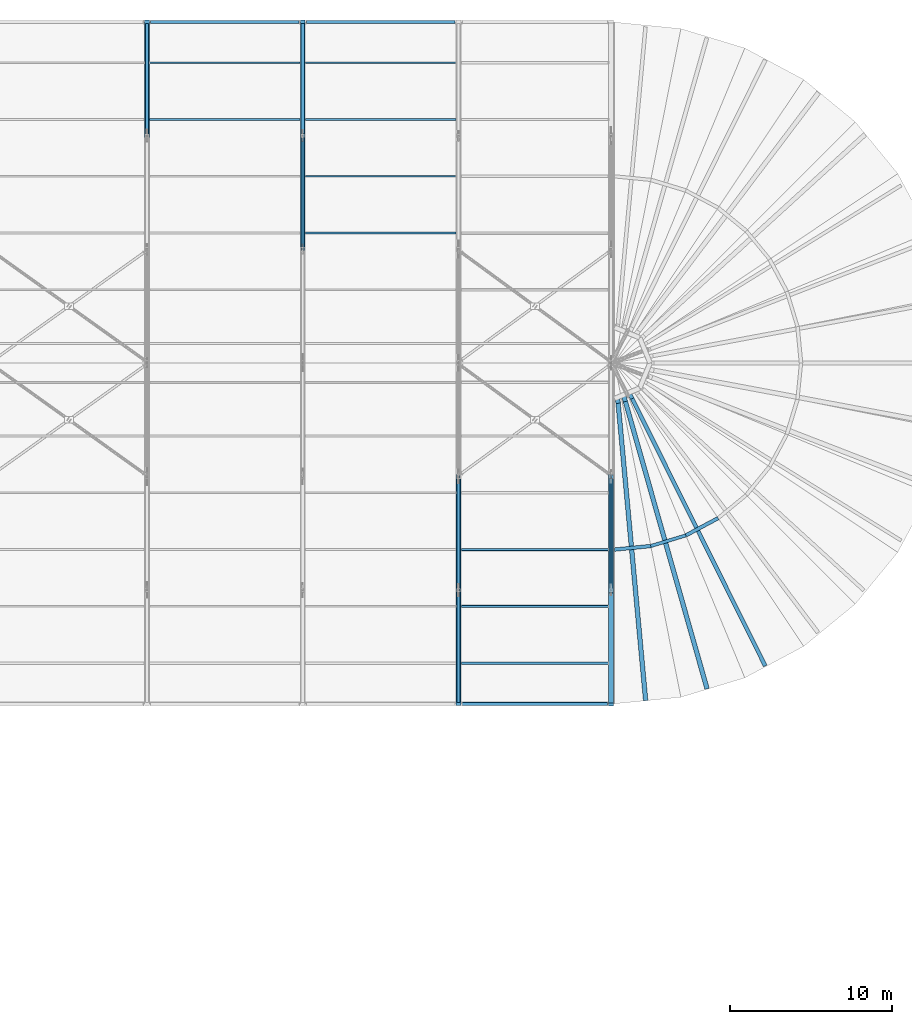
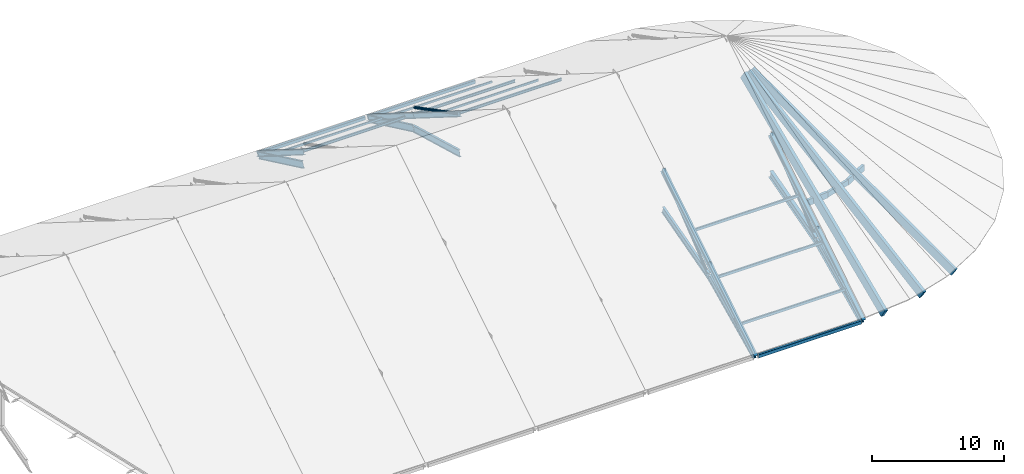
# One storey, part 15 of 66: 22 members, 13 beams.
"""IFC4 building model written with IfcOpenShell, lengths in metres."""

from ifc_helpers import new_model, si_unit, direction, frame, origin, origin_2d, place, context, subcontext, project, spatial, rectangle, hollow_rectangle, hollow_circle, i_section, extrude, material, material_profile, profile_set, type_object, element, save


model = new_model("IFC4")

# Units and contexts
model_context = context("Model", 3, precision=1e-05, world=origin(), true_north=direction((0.0, 1.0)))
body_context = subcontext(model_context, "Body", "Model", "MODEL_VIEW")
ifc_project = project(units=[si_unit("LENGTHUNIT", "METRE"), si_unit("AREAUNIT", "SQUARE_METRE"), si_unit("VOLUMEUNIT", "CUBIC_METRE"), si_unit("PLANEANGLEUNIT", "RADIAN"), si_unit("MASSUNIT", "GRAM", prefix="KILO")], contexts=[model_context])

# Site, building, storey
site_placement = place(None, origin())
site = spatial("IfcSite", under=ifc_project, at=site_placement, CompositionType="ELEMENT")
building_placement = place(site_placement, origin())
building = spatial("IfcBuilding", under=site, at=building_placement, Name="Yeouljin Market Hall", CompositionType="ELEMENT")
storey_placement = place(building_placement, frame((0.0, 0.0, 23.39990234375)))
storey = spatial("IfcBuildingStorey", under=building, at=storey_placement, Name="RF", CompositionType="ELEMENT", Elevation=23.39990234375)

# Beams
ifc_material_1 = material(Name="Glulam Timber KS F 3021 10S-30B", Category="wood")
ifc_material_profile_1 = material_profile(ifc_material_1, rectangle(XDim=0.199951171875, YDim=0.47998046875, at=origin_2d()), Name="GL-200x480")
ifc_profile_set_1 = profile_set([ifc_material_profile_1], Name="Glulam Timber KS F 3021 10S-30B")
beam_type_1 = type_object("IfcBeamType", Name="Beam_GL-200x480", PredefinedType="BEAM", material=ifc_profile_set_1)
beam_1_placement = place(storey_placement, frame((143.243408203125, 45.720947265625, -7.349853515625), z_axis=(0.9569305483, 0.290316940137, 0.0), x_axis=(-0.290316940137, 0.9569305483, 0.0)))
element("IfcBeam", 1, at=beam_1_placement, inside=storey, type_object=beam_type_1, Name="Glulam apse collar beam east 02", PredefinedType="BEAM", context=body_context, shape_type="SweptSolid", body=[
    extrude(rectangle(XDim=0.199951171875, YDim=0.47998046875, at=origin_2d()), origin(), (0.0, 0.0, 1.0), 2.254638671875),
])
ifc_material_2 = material(Name="Glulam Timber KS F 3021 10S-30B", Category="wood")
ifc_material_profile_2 = material_profile(ifc_material_2, rectangle(XDim=0.219970703125, YDim=0.56005859375, at=origin_2d()), Name="GL-220x560")
ifc_profile_set_2 = profile_set([ifc_material_profile_2], Name="Glulam Timber KS F 3021 10S-30B")
beam_type_2 = type_object("IfcBeamType", Name="Beam_GL-220x560", PredefinedType="BEAM", material=ifc_profile_set_2)
beam_2_placement = place(storey_placement, frame((141.0, 45.5, -7.349853515625), z_axis=(0.995185122883, 0.098013117446, 0.0), x_axis=(-0.098013117446, 0.995185122883, 0.0)))
element("IfcBeam", 2, at=beam_2_placement, inside=storey, type_object=beam_type_2, Name="Glulam apse collar beam east 01", PredefinedType="BEAM", context=body_context, shape_type="SweptSolid", body=[
    extrude(rectangle(XDim=0.219970703125, YDim=0.56005859375, at=origin_2d()), origin(), (0.0, 0.0, 1.0), 2.254150390625),
])
beam_3_placement = place(storey_placement, frame((145.40087890625, 46.37548828125, -7.349853515625), z_axis=(0.881968925016, 0.471307559144, 0.0), x_axis=(-0.471307559144, 0.881968925016, 0.0)))
element("IfcBeam", 3, at=beam_3_placement, inside=storey, type_object=beam_type_2, Name="Glulam apse collar beam east 03", PredefinedType="BEAM", context=body_context, shape_type="SweptSolid", body=[
    extrude(rectangle(XDim=0.219970703125, YDim=0.56005859375, at=origin_2d()), origin(), (0.0, 0.0, 1.0), 2.25439453125),
])
ifc_material_3 = material(Name="Steel SM355", Category="steel")
ifc_material_profile_3 = material_profile(ifc_material_3, i_section(OverallWidth=0.199951171875, OverallDepth=0.60009765625, WebThickness=0.010986328125, FlangeThickness=0.01708984375, FilletRadius=0.02197265625, at=origin_2d()), Name="H-600x200x11x17")
ifc_profile_set_3 = profile_set([ifc_material_profile_3], Name="Steel SM355")
beam_type_3 = type_object("IfcBeamType", Name="Beam_H-600x200x11x17", PredefinedType="BEAM", material=ifc_profile_set_3)
beam_4_placement = place(storey_placement, frame((112.199951171875, 71.02001953125, -9.07763671875), z_axis=(0.0, 0.903192091176, -0.429236585623), x_axis=(-1.0, 0.0, 0.0)))
element("IfcBeam", 4, at=beam_4_placement, inside=storey, type_object=beam_type_3, Name="Truss AT-09 arch rib 6", PredefinedType="BEAM", context=body_context, shape_type="SweptSolid", body=[
    extrude(i_section(OverallWidth=0.199951171875, OverallDepth=0.60009765625, WebThickness=0.010986328125, FlangeThickness=0.01708984375, FilletRadius=0.02197265625, at=origin_2d()), origin(), (0.0, 0.0, 1.0), 7.5068359375),
])
beam_5_placement = place(storey_placement, frame((121.800048828125, 64.02001953125, -7.144287109375), z_axis=(0.0, 0.963516941196, -0.267647350124), x_axis=(-1.0, 0.0, 0.0)))
element("IfcBeam", 5, at=beam_5_placement, inside=storey, type_object=beam_type_3, Name="Truss AT-10 arch rib 5", PredefinedType="BEAM", context=body_context, shape_type="SweptSolid", body=[
    extrude(i_section(OverallWidth=0.199951171875, OverallDepth=0.60009765625, WebThickness=0.010986328125, FlangeThickness=0.01708984375, FilletRadius=0.02197265625, at=origin_2d()), origin(), (0.0, 0.0, 1.0), 7.223388671875),
])
for number, where, z_axis, x_axis, name in (
    (6, (121.800048828125, 71.02001953125, -9.07763671875), (0.0, 0.903192091176, -0.429236585623), (-1.0, 0.0, 0.0), "Truss AT-10 arch rib 6"),
    (7, (131.39990234375, 36.199951171875, -12.2998046875), (0.0, 0.903192091176, 0.429236585623), (-1.0, 0.0, 0.0), "Truss AT-11 arch rib 1"),
):
    element("IfcBeam", number, at=place(storey_placement, frame(where, z_axis=z_axis, x_axis=x_axis)), inside=storey, type_object=beam_type_3, Name=name, PredefinedType="BEAM", context=body_context, shape_type="SweptSolid", body=[
        extrude(i_section(OverallWidth=0.199951171875, OverallDepth=0.60009765625, WebThickness=0.010986328125, FlangeThickness=0.01708984375, FilletRadius=0.02197265625, at=origin_2d()), origin(), (0.0, 0.0, 1.0), 7.5068359375),
    ])
beam_6_placement = place(storey_placement, frame((131.39990234375, 43.02001953125, -9.07763671875), z_axis=(0.0, 0.963516941196, 0.267647350124), x_axis=(-1.0, 0.0, 0.0)))
element("IfcBeam", 8, at=beam_6_placement, inside=storey, type_object=beam_type_3, Name="Truss AT-11 arch rib 2", PredefinedType="BEAM", context=body_context, shape_type="SweptSolid", body=[
    extrude(i_section(OverallWidth=0.199951171875, OverallDepth=0.60009765625, WebThickness=0.010986328125, FlangeThickness=0.01708984375, FilletRadius=0.02197265625, at=origin_2d()), origin(), (0.0, 0.0, 1.0), 7.223388671875),
])
ifc_material_4 = material(Name="Steel SM355", Category="steel")
ifc_material_profile_4 = material_profile(ifc_material_4, hollow_rectangle(XDim=0.199951171875, YDim=0.300048828125, WallThickness=0.009033203125, InnerFilletRadius=0.009033203125, OuterFilletRadius=0.01611328125, at=origin_2d()), Name="RHS-300x200x9")
ifc_profile_set_4 = profile_set([ifc_material_profile_4], Name="Steel SM355")
beam_type_4 = type_object("IfcBeamType", Name="Beam_RHS-300x200x9", PredefinedType="BEAM", material=ifc_profile_set_4)
beam_7_placement = place(storey_placement, frame((131.615966796875, 36.0, -12.27978515625), z_axis=(1.0, 0.0, 0.0), x_axis=(0.0, 1.0, 0.0)))
element("IfcBeam", 9, at=beam_7_placement, inside=storey, type_object=beam_type_4, Name="Hall eaves girder S11", PredefinedType="BEAM", context=body_context, shape_type="SweptSolid", body=[
    extrude(hollow_rectangle(XDim=0.199951171875, YDim=0.300048828125, WallThickness=0.009033203125, InnerFilletRadius=0.009033203125, OuterFilletRadius=0.01611328125, at=origin_2d()), origin(), (0.0, 0.0, 1.0), 8.968017578125),
])
for number, where, z_axis, x_axis, name in (
    (10, (112.416015625, 78.0, -12.27978515625), (1.0, 0.0, 0.0), (0.0, 1.0, 0.0), "Hall eaves girder N09"),
    (11, (122.01611328125, 78.0, -12.27978515625), (1.0, 0.0, 0.0), (0.0, 1.0, 0.0), "Hall eaves girder N10"),
):
    element("IfcBeam", number, at=place(storey_placement, frame(where, z_axis=z_axis, x_axis=x_axis)), inside=storey, type_object=beam_type_4, Name=name, PredefinedType="BEAM", context=body_context, shape_type="SweptSolid", body=[
        extrude(hollow_rectangle(XDim=0.199951171875, YDim=0.300048828125, WallThickness=0.009033203125, InnerFilletRadius=0.009033203125, OuterFilletRadius=0.01611328125, at=origin_2d()), origin(), (0.0, 0.0, 1.0), 9.16796875),
    ])

# Members
ifc_material_5 = material(Name="Steel SM355", Category="steel")
ifc_material_profile_5 = material_profile(ifc_material_5, hollow_circle(Radius=0.108154296875, WallThickness=0.008056640625, at=origin_2d()), Name="CHS-216.3x8")
ifc_profile_set_5 = profile_set([ifc_material_profile_5], Name="Steel SM355")
member_type_1 = type_object("IfcMemberType", Name="Brace_CHS-216.3x8", PredefinedType="BRACE", material=ifc_profile_set_5)
member_1_placement = place(storey_placement, frame((121.800048828125, 64.195068359375, -3.6015625), z_axis=(0.0, 0.886995164265, -0.461778711691), x_axis=(-1.0, 0.0, 0.0)))
element("IfcMember", 12, at=member_1_placement, inside=storey, type_object=member_type_1, Name="Truss AT-10 web diagonal 5", PredefinedType="BRACE", context=body_context, shape_type="SweptSolid", body=[
    extrude(hollow_circle(Radius=0.108154296875, WallThickness=0.008056640625, at=origin_2d()), origin(), (0.0, 0.0, 1.0), 7.451904296875),
])
for number, where, z_axis, x_axis, name in (
    (13, (131.39990234375, 43.172119140625, -8.940673828125), (0.0, 0.782065231413, 0.623196577185), (-1.0, 0.0, 0.0), "Truss AT-11 web diagonal 2"),
    (14, (140.800048828125, 43.172119140625, -8.940673828125), (0.0, 0.782065231413, 0.623196577185), (-1.0, 0.0, 0.0), "Truss AT-12 web diagonal 2"),
):
    element("IfcMember", number, at=place(storey_placement, frame(where, z_axis=z_axis, x_axis=x_axis)), inside=storey, type_object=member_type_1, Name=name, PredefinedType="BRACE", context=body_context, shape_type="SweptSolid", body=[
        extrude(hollow_circle(Radius=0.108154296875, WallThickness=0.008056640625, at=origin_2d()), origin(), (0.0, 0.0, 1.0), 8.510498046875),
    ])
ifc_material_6 = material(Name="Steel SM355", Category="steel")
ifc_material_profile_6 = material_profile(ifc_material_6, i_section(OverallWidth=0.300048828125, OverallDepth=0.43994140625, WebThickness=0.010986328125, FlangeThickness=0.01806640625, FilletRadius=0.02001953125, at=origin_2d()), Name="H-440x300x11x18")
ifc_profile_set_6 = profile_set([ifc_material_profile_6], Name="Steel SM355")
member_type_2 = type_object("IfcMemberType", Name="Chord_H-440x300x11x18", PredefinedType="CHORD", material=ifc_profile_set_6)
for number, where, z_axis, x_axis, name in (
    (15, (112.199951171875, 71.0, -7.89990234375), (0.0, 0.846641870869, -0.53216307885), (-1.0, 0.0, 0.0), "Truss AT-09 top chord 6"),
    (16, (121.800048828125, 64.0, -3.5), (0.0, 0.846641870869, -0.53216307885), (-1.0, 0.0, 0.0), "Truss AT-10 top chord 5"),
    (17, (121.800048828125, 71.0, -7.89990234375), (0.0, 0.846641870869, -0.53216307885), (-1.0, 0.0, 0.0), "Truss AT-10 top chord 6"),
    (18, (131.39990234375, 36.0, -12.2998046875), (0.0, 0.846641870869, 0.53216307885), (-1.0, 0.0, 0.0), "Truss AT-11 top chord 1"),
    (19, (131.39990234375, 43.0, -7.89990234375), (0.0, 0.846641870869, 0.53216307885), (-1.0, 0.0, 0.0), "Truss AT-11 top chord 2"),
):
    element("IfcMember", number, at=place(storey_placement, frame(where, z_axis=z_axis, x_axis=x_axis)), inside=storey, type_object=member_type_2, Name=name, PredefinedType="CHORD", context=body_context, shape_type="SweptSolid", body=[
        extrude(i_section(OverallWidth=0.300048828125, OverallDepth=0.43994140625, WebThickness=0.010986328125, FlangeThickness=0.01806640625, FilletRadius=0.02001953125, at=origin_2d()), origin(), (0.0, 0.0, 1.0), 8.26806640625),
    ])
ifc_material_7 = material(Name="Steel SM355", Category="steel")
ifc_material_profile_7 = material_profile(ifc_material_7, i_section(OverallWidth=0.300048828125, OverallDepth=0.488037109375, WebThickness=0.010986328125, FlangeThickness=0.01806640625, FilletRadius=0.02197265625, at=origin_2d()), Name="H-488x300x11x18")
ifc_profile_set_7 = profile_set([ifc_material_profile_7], Name="Steel SM355")
member_type_3 = type_object("IfcMemberType", Name="Chord_H-488x300x11x18", PredefinedType="CHORD", material=ifc_profile_set_7)
for number, where, z_axis, x_axis, name in (
    (20, (140.800048828125, 36.0, -12.2998046875), (0.0, 0.846641870869, 0.53216307885), (-1.0, 0.0, 0.0), "Truss AT-12 top chord 1"),
    (21, (140.800048828125, 43.0, -7.89990234375), (0.0, 0.846641870869, 0.53216307885), (-1.0, 0.0, 0.0), "Truss AT-12 top chord 2"),
):
    element("IfcMember", number, at=place(storey_placement, frame(where, z_axis=z_axis, x_axis=x_axis)), inside=storey, type_object=member_type_3, Name=name, PredefinedType="CHORD", context=body_context, shape_type="SweptSolid", body=[
        extrude(i_section(OverallWidth=0.300048828125, OverallDepth=0.488037109375, WebThickness=0.010986328125, FlangeThickness=0.01806640625, FilletRadius=0.02197265625, at=origin_2d()), origin(), (0.0, 0.0, 1.0), 8.26806640625),
    ])

# Beams
ifc_material_8 = material(Name="Steel SM355", Category="steel")
ifc_material_profile_8 = material_profile(ifc_material_8, i_section(OverallWidth=0.300048828125, OverallDepth=0.699951171875, WebThickness=0.012939453125, FlangeThickness=0.02392578125, FilletRadius=0.02587890625, at=origin_2d()), Name="H-700x300x13x24")
ifc_profile_set_8 = profile_set([ifc_material_profile_8], Name="Steel SM355")
beam_type_5 = type_object("IfcBeamType", Name="Girder_H-700x300x13x24", PredefinedType="USERDEFINED", material=ifc_profile_set_8)
beam_8_placement = place(storey_placement, frame((140.800048828125, 36.199951171875, -12.2998046875), z_axis=(0.0, 0.903192091176, 0.429236585623), x_axis=(-1.0, 0.0, 0.0)))
element("IfcBeam", 22, at=beam_8_placement, inside=storey, type_object=beam_type_5, Name="Truss AT-12 arch rib 1", ObjectType="GIRDER", PredefinedType="USERDEFINED", context=body_context, shape_type="SweptSolid", body=[
    extrude(i_section(OverallWidth=0.300048828125, OverallDepth=0.699951171875, WebThickness=0.012939453125, FlangeThickness=0.02392578125, FilletRadius=0.02587890625, at=origin_2d()), origin(), (0.0, 0.0, 1.0), 7.5068359375),
])
beam_9_placement = place(storey_placement, frame((140.800048828125, 43.02001953125, -9.07763671875), z_axis=(0.0, 0.963516941196, 0.267647350124), x_axis=(-1.0, 0.0, 0.0)))
element("IfcBeam", 23, at=beam_9_placement, inside=storey, type_object=beam_type_5, Name="Truss AT-12 arch rib 2", ObjectType="GIRDER", PredefinedType="USERDEFINED", context=body_context, shape_type="SweptSolid", body=[
    extrude(i_section(OverallWidth=0.300048828125, OverallDepth=0.699951171875, WebThickness=0.012939453125, FlangeThickness=0.02392578125, FilletRadius=0.02587890625, at=origin_2d()), origin(), (0.0, 0.0, 1.0), 7.223388671875),
])

# Members
ifc_material_9 = material(Name="Steel SM355", Category="steel")
ifc_material_profile_9 = material_profile(ifc_material_9, i_section(OverallWidth=0.125, OverallDepth=0.25, WebThickness=0.006103515625, FlangeThickness=0.009033203125, FilletRadius=0.011962890625, at=origin_2d()), Name="H-250x125x6x9")
ifc_profile_set_9 = profile_set([ifc_material_profile_9], Name="Steel SM355")
member_type_4 = type_object("IfcMemberType", Name="Purlin_H-250x125x6x9", PredefinedType="PURLIN", material=ifc_profile_set_9)
member_2_placement = place(storey_placement, frame((112.365966796875, 72.0, -8.6083984375), z_axis=(1.0, 0.0, 0.0), x_axis=(0.0, 1.0, 0.0)))
element("IfcMember", 24, at=member_2_placement, inside=storey, type_object=member_type_4, Name="Nave roof purlin 107", PredefinedType="PURLIN", context=body_context, shape_type="SweptSolid", body=[
    extrude(i_section(OverallWidth=0.125, OverallDepth=0.25, WebThickness=0.006103515625, FlangeThickness=0.009033203125, FilletRadius=0.011962890625, at=origin_2d()), origin(), (0.0, 0.0, 1.0), 9.26806640625),
])
for number, where, z_axis, x_axis, name in (
    (25, (121.966064453125, 65.0, -4.20849609375), (1.0, 0.0, 0.0), (0.0, 1.0, 0.0), "Nave roof purlin 117"),
    (26, (121.966064453125, 72.0, -8.6083984375), (1.0, 0.0, 0.0), (0.0, 1.0, 0.0), "Nave roof purlin 119"),
):
    element("IfcMember", number, at=place(storey_placement, frame(where, z_axis=z_axis, x_axis=x_axis)), inside=storey, type_object=member_type_4, Name=name, PredefinedType="PURLIN", context=body_context, shape_type="SweptSolid", body=[
        extrude(i_section(OverallWidth=0.125, OverallDepth=0.25, WebThickness=0.006103515625, FlangeThickness=0.009033203125, FilletRadius=0.011962890625, at=origin_2d()), origin(), (0.0, 0.0, 1.0), 9.267822265625),
    ])
ifc_material_10 = material(Name="Steel SS275", Category="steel")
ifc_material_profile_10 = material_profile(ifc_material_10, hollow_rectangle(XDim=0.10009765625, YDim=0.199951171875, WallThickness=0.006103515625, InnerFilletRadius=0.006103515625, OuterFilletRadius=0.011962890625, at=origin_2d()), Name="RHS-200x100x6")
ifc_profile_set_10 = profile_set([ifc_material_profile_10], Name="Steel SS275")
member_type_5 = type_object("IfcMemberType", Name="Purlin_RHS-200x100x6", PredefinedType="PURLIN", material=ifc_profile_set_10)
member_3_placement = place(storey_placement, frame((112.365966796875, 75.5, -10.80859375), z_axis=(1.0, 0.0, 0.0), x_axis=(0.0, 1.0, 0.0)))
element("IfcMember", 27, at=member_3_placement, inside=storey, type_object=member_type_5, Name="Nave roof purlin 108", PredefinedType="PURLIN", context=body_context, shape_type="SweptSolid", body=[
    extrude(hollow_rectangle(XDim=0.10009765625, YDim=0.199951171875, WallThickness=0.006103515625, InnerFilletRadius=0.006103515625, OuterFilletRadius=0.011962890625, at=origin_2d()), origin(), (0.0, 0.0, 1.0), 9.26806640625),
])
for number, where, z_axis, x_axis, name in (
    (28, (121.966064453125, 68.5, -6.408447265625), (1.0, 0.0, 0.0), (0.0, 1.0, 0.0), "Nave roof purlin 118"),
    (29, (121.966064453125, 75.5, -10.80859375), (1.0, 0.0, 0.0), (0.0, 1.0, 0.0), "Nave roof purlin 120"),
):
    element("IfcMember", number, at=place(storey_placement, frame(where, z_axis=z_axis, x_axis=x_axis)), inside=storey, type_object=member_type_5, Name=name, PredefinedType="PURLIN", context=body_context, shape_type="SweptSolid", body=[
        extrude(hollow_rectangle(XDim=0.10009765625, YDim=0.199951171875, WallThickness=0.006103515625, InnerFilletRadius=0.006103515625, OuterFilletRadius=0.011962890625, at=origin_2d()), origin(), (0.0, 0.0, 1.0), 9.267822265625),
    ])
ifc_material_11 = material(Name="Steel SM355", Category="steel")
ifc_material_profile_11 = material_profile(ifc_material_11, hollow_rectangle(XDim=0.14990234375, YDim=0.25, WallThickness=0.008056640625, InnerFilletRadius=0.008056640625, OuterFilletRadius=0.01611328125, at=origin_2d()), Name="RHS-250x150x8")
ifc_profile_set_11 = profile_set([ifc_material_profile_11], Name="Steel SM355")
member_type_6 = type_object("IfcMemberType", Name="Purlin_RHS-250x150x8", PredefinedType="PURLIN", material=ifc_profile_set_11)
for number, where, z_axis, x_axis, name in (
    (30, (131.56591796875, 38.5, -10.80859375), (1.0, 0.0, 0.0), (0.0, 1.0, 0.0), "Nave roof purlin 121"),
    (31, (131.56591796875, 42.0, -8.6083984375), (1.0, 0.0, 0.0), (0.0, 1.0, 0.0), "Nave roof purlin 122"),
    (32, (131.56591796875, 45.5, -6.408447265625), (1.0, 0.0, 0.0), (0.0, 1.0, 0.0), "Nave roof purlin 123"),
):
    element("IfcMember", number, at=place(storey_placement, frame(where, z_axis=z_axis, x_axis=x_axis)), inside=storey, type_object=member_type_6, Name=name, PredefinedType="PURLIN", context=body_context, shape_type="SweptSolid", body=[
        extrude(hollow_rectangle(XDim=0.14990234375, YDim=0.25, WallThickness=0.008056640625, InnerFilletRadius=0.008056640625, OuterFilletRadius=0.01611328125, at=origin_2d()), origin(), (0.0, 0.0, 1.0), 9.068115234375),
    ])
ifc_material_12 = material(Name="Glulam Timber KS F 3021 10S-30B", Category="wood")
ifc_material_profile_12 = material_profile(ifc_material_12, rectangle(XDim=0.239990234375, YDim=0.760009765625, at=origin_2d()), Name="GL-240x760")
ifc_profile_set_12 = profile_set([ifc_material_profile_12], Name="Glulam Timber KS F 3021 10S-30B")
member_type_7 = type_object("IfcMemberType", Name="Rafter_GL-240x760", PredefinedType="RAFTER", material=ifc_profile_set_12)
member_4_placement = place(storey_placement, frame((150.20458984375, 38.514892578125, -12.579833984375), z_axis=(-0.377804205833, 0.758723603814, 0.530662298519), x_axis=(-0.89516105907, -0.445742838781, 0.0)))
element("IfcMember", 33, at=member_4_placement, inside=storey, type_object=member_type_7, Name="Fanned glulam apse rafter east 03", PredefinedType="RAFTER", context=body_context, shape_type="SweptSolid", body=[
    extrude(rectangle(XDim=0.239990234375, YDim=0.760009765625, at=origin_2d()), origin(), (0.0, 0.0, 1.0), 21.708740234375),
])
ifc_material_13 = material(Name="Glulam Timber KS F 3021 10S-30B", Category="wood")
ifc_material_profile_13 = material_profile(ifc_material_13, rectangle(XDim=0.280029296875, YDim=0.840087890625, at=origin_2d()), Name="GL-280x840")
ifc_profile_set_13 = profile_set([ifc_material_profile_13], Name="Glulam Timber KS F 3021 10S-30B")
member_type_8 = type_object("IfcMemberType", Name="Rafter_GL-280x840", PredefinedType="RAFTER", material=ifc_profile_set_13)
member_5_placement = place(storey_placement, frame((146.651123046875, 37.13818359375, -12.579833984375), z_axis=(-0.231950904705, 0.815230113071, 0.530658685548), x_axis=(-0.961826283182, -0.273660740663, 0.0)))
element("IfcMember", 34, at=member_5_placement, inside=storey, type_object=member_type_8, Name="Fanned glulam apse rafter east 02", PredefinedType="RAFTER", context=body_context, shape_type="SweptSolid", body=[
    extrude(rectangle(XDim=0.280029296875, YDim=0.840087890625, at=origin_2d()), origin(), (0.0, 0.0, 1.0), 21.708984375),
])
ifc_material_14 = material(Name="Glulam Timber KS F 3021 10S-30B", Category="wood")
ifc_material_profile_14 = material_profile(ifc_material_14, rectangle(XDim=0.280029296875, YDim=0.919921875, at=origin_2d()), Name="GL-280x920")
ifc_profile_set_14 = profile_set([ifc_material_profile_14], Name="Glulam Timber KS F 3021 10S-30B")
member_type_9 = type_object("IfcMemberType", Name="Rafter_GL-280x920", PredefinedType="RAFTER", material=ifc_profile_set_14)
member_6_placement = place(storey_placement, frame((142.9052734375, 36.43798828125, -12.579833984375), z_axis=(-0.07820580902, 0.843968210804, 0.530661389766), x_axis=(-0.995734107215, -0.092269104958, 0.0)))
element("IfcMember", 35, at=member_6_placement, inside=storey, type_object=member_type_9, Name="Fanned glulam apse rafter east 01", PredefinedType="RAFTER", context=body_context, shape_type="SweptSolid", body=[
    extrude(rectangle(XDim=0.280029296875, YDim=0.919921875, at=origin_2d()), origin(), (0.0, 0.0, 1.0), 21.708740234375),
])

save(model, "model.ifc")
